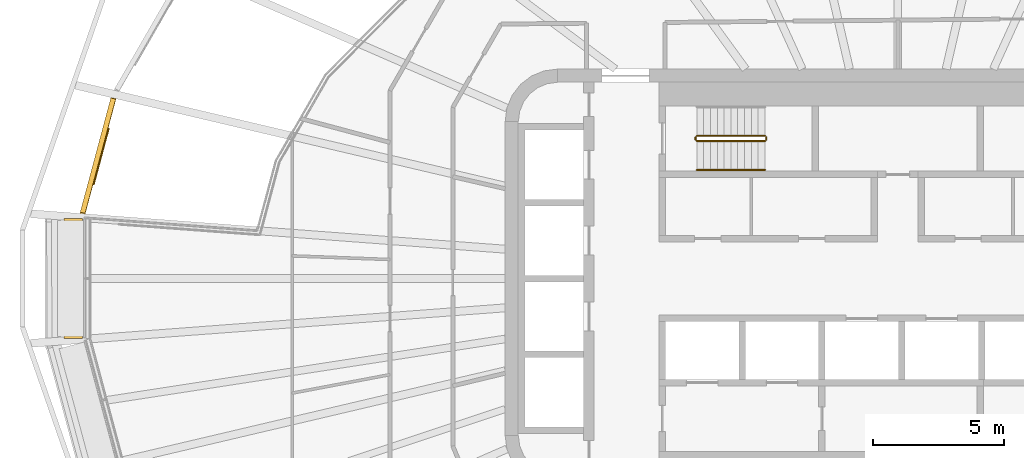
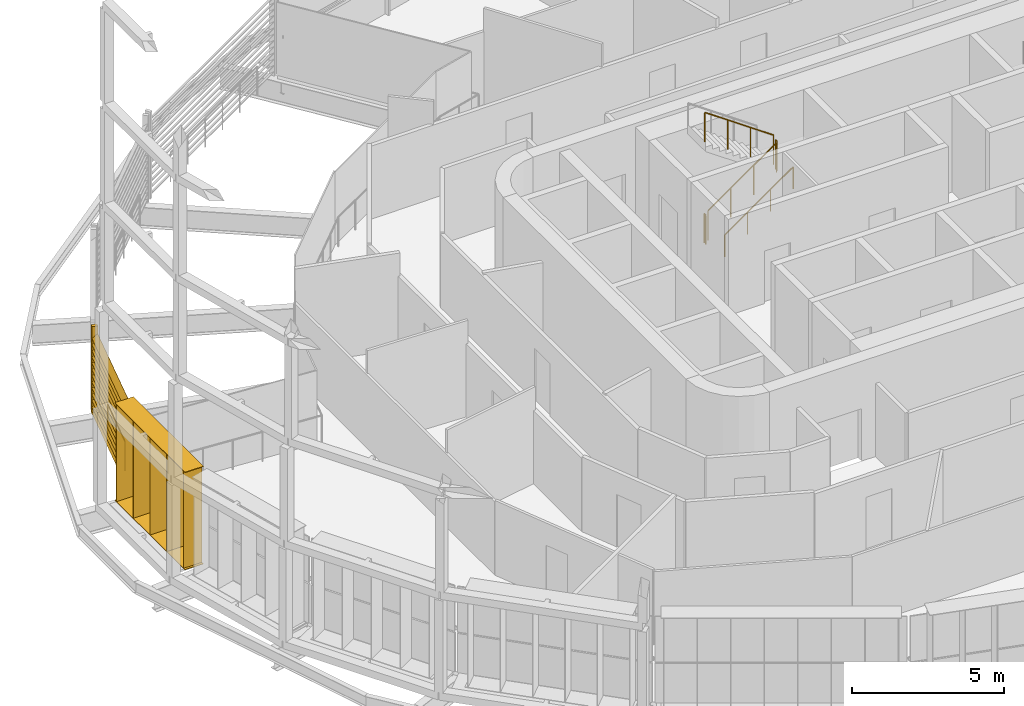
# One storey, part 18 of 22: 6 railings, 2 shading devices.
"""IFC4 building model written with IfcOpenShell, lengths in metres."""

from ifc_helpers import new_model, si_unit, direction, frame, origin, origin_2d, place, context, subcontext, project, spatial, rectangle, circle, extrude, material, type_object, element, save


model = new_model("IFC4")

# Units and contexts
model_context = context("Model", 3, precision=1e-05, world=origin(), true_north=direction((0.0, 1.0)))
body_context = subcontext(model_context, "Body", "Model", "MODEL_VIEW")
ifc_project = project(units=[si_unit("LENGTHUNIT", "METRE"), si_unit("AREAUNIT", "SQUARE_METRE"), si_unit("VOLUMEUNIT", "CUBIC_METRE"), si_unit("PLANEANGLEUNIT", "RADIAN"), si_unit("MASSUNIT", "GRAM", prefix="KILO")], contexts=[model_context])

# Site, building, storey
site_placement = place(None, origin())
site = spatial("IfcSite", under=ifc_project, at=site_placement, CompositionType="ELEMENT")
building_placement = place(site_placement, origin())
building = spatial("IfcBuilding", under=site, at=building_placement, Name="Sahrelin Media Tower", CompositionType="ELEMENT")
storey_placement = place(building_placement, frame((0.0, 0.0, 177.60009765625)))
storey = spatial("IfcBuildingStorey", under=building, at=storey_placement, Name="L37", CompositionType="ELEMENT", Elevation=177.60009765625)

# Shading devices
ifc_material_1 = material(Name="Champagne anodised aluminium 6063-T6", Category="aluminium")
shading_device_type_1 = type_object("IfcShadingDeviceType", Name="Fin cassette", PredefinedType="USERDEFINED", material=ifc_material_1)
shading_device_1_placement = place(storey_placement, frame((-31.081787109375, 0.0, 0.0), z_axis=(0.0, 0.0, 1.0), x_axis=(0.0, 1.0, 0.0)))
element("IfcShadingDevice", 1, at=shading_device_1_placement, inside=storey, type_object=shading_device_type_1, Name="L37:FIN:L37-12", ObjectType="FIN", PredefinedType="USERDEFINED", context=body_context, shape_type="SweptSolid", body=[
    extrude(rectangle(XDim=4.60009765625, YDim=0.699951171875, at=origin_2d()), frame((0.0, 0.419921875, 0.0)), (0.0, 0.0, 1.0), 0.02001953125),
    extrude(rectangle(XDim=4.60009765625, YDim=0.699951171875, at=origin_2d()), frame((0.0, 0.419921875, 3.89990234375)), (0.0, 0.0, 1.0), 0.02001953125),
    extrude(rectangle(XDim=0.02001953125, YDim=0.699951171875, at=origin_2d()), frame((-2.199951171875, 0.419921875, 0.010009765625), z_axis=(0.0, 0.0, 1.0), x_axis=(1.0, 0.0, 0.0)), (0.0, 0.0, 1.0), 3.89990234375),
    extrude(rectangle(XDim=0.02001953125, YDim=0.699951171875, at=origin_2d()), frame((-1.10009765625, 0.419921875, 0.010009765625), z_axis=(0.0, 0.0, 1.0), x_axis=(1.0, 0.0, 0.0)), (0.0, 0.0, 1.0), 3.89990234375),
    extrude(rectangle(XDim=0.02001953125, YDim=0.699951171875, at=origin_2d()), frame((0.0, 0.419921875, 0.010009765625), z_axis=(0.0, 0.0, 1.0), x_axis=(1.0, 0.0, 0.0)), (0.0, 0.0, 1.0), 3.89990234375),
    extrude(rectangle(XDim=0.02001953125, YDim=0.699951171875, at=origin_2d()), frame((1.10009765625, 0.419921875, 0.010009765625), z_axis=(0.0, 0.0, 1.0), x_axis=(1.0, 0.0, 0.0)), (0.0, 0.0, 1.0), 3.89990234375),
    extrude(rectangle(XDim=0.02001953125, YDim=0.699951171875, at=origin_2d()), frame((2.199951171875, 0.419921875, 0.010009765625), z_axis=(0.0, 0.0, 1.0), x_axis=(1.0, 0.0, 0.0)), (0.0, 0.0, 1.0), 3.89990234375),
])
shading_device_type_2 = type_object("IfcShadingDeviceType", Name="Garden screen", PredefinedType="USERDEFINED", material=ifc_material_1)
shading_device_2_placement = place(storey_placement, frame((-30.453369140625, 4.667236328125, 0.0), z_axis=(0.0, 0.0, 1.0), x_axis=(0.258807731996, 0.965928857556, 0.0)))
element("IfcShadingDevice", 2, at=shading_device_2_placement, inside=storey, type_object=shading_device_type_2, Name="L37:SCREEN:L37-11", ObjectType="SCREEN", PredefinedType="USERDEFINED", context=body_context, shape_type="SweptSolid", body=[
    extrude(rectangle(XDim=0.1201171875, YDim=0.199951171875, at=origin_2d()), frame((2.318115234375, 0.10009765625, 0.050048828125), z_axis=(0.0, 0.0, 1.0), x_axis=(1.0, 0.0, 0.0)), (0.0, 0.0, 1.0), 3.49853515625),
    extrude(rectangle(XDim=0.1201171875, YDim=0.199951171875, at=origin_2d()), frame((-2.318115234375, 0.10009765625, 0.050048828125), z_axis=(0.0, 0.0, 1.0), x_axis=(1.0, 0.0, 0.0)), (0.0, 0.0, 1.0), 3.49853515625),
    extrude(rectangle(XDim=0.25, YDim=0.02001953125, at=origin_2d()), frame((2.25830078125, 0.10009765625, 0.14990234375), z_axis=(-1.0, 0.0, 0.0), x_axis=(0.0, -0.766044443119, 0.642787609687)), (0.0, 0.0, 1.0), 4.5166015625),
    extrude(rectangle(XDim=0.25, YDim=0.02001953125, at=origin_2d()), frame((2.25830078125, 0.10009765625, 0.39990234375), z_axis=(-1.0, 0.0, 0.0), x_axis=(0.0, -0.766044443119, 0.642787609687)), (0.0, 0.0, 1.0), 4.5166015625),
    extrude(rectangle(XDim=0.25, YDim=0.02001953125, at=origin_2d()), frame((2.25830078125, 0.10009765625, 0.64990234375), z_axis=(-1.0, 0.0, 0.0), x_axis=(0.0, -0.766044443119, 0.642787609687)), (0.0, 0.0, 1.0), 4.5166015625),
    extrude(rectangle(XDim=0.25, YDim=0.02001953125, at=origin_2d()), frame((2.25830078125, 0.10009765625, 0.89990234375), z_axis=(-1.0, 0.0, 0.0), x_axis=(0.0, -0.766044443119, 0.642787609687)), (0.0, 0.0, 1.0), 4.5166015625),
    extrude(rectangle(XDim=0.25, YDim=0.02001953125, at=origin_2d()), frame((2.25830078125, 0.10009765625, 1.14990234375), z_axis=(-1.0, 0.0, 0.0), x_axis=(0.0, -0.766044443119, 0.642787609687)), (0.0, 0.0, 1.0), 4.5166015625),
    extrude(rectangle(XDim=0.25, YDim=0.02001953125, at=origin_2d()), frame((2.25830078125, 0.10009765625, 1.39990234375), z_axis=(-1.0, 0.0, 0.0), x_axis=(0.0, -0.766044443119, 0.642787609687)), (0.0, 0.0, 1.0), 4.5166015625),
    extrude(rectangle(XDim=0.25, YDim=0.02001953125, at=origin_2d()), frame((2.25830078125, 0.10009765625, 1.64990234375), z_axis=(-1.0, 0.0, 0.0), x_axis=(0.0, -0.766044443119, 0.642787609687)), (0.0, 0.0, 1.0), 4.5166015625),
    extrude(rectangle(XDim=0.25, YDim=0.02001953125, at=origin_2d()), frame((2.25830078125, 0.10009765625, 1.89990234375), z_axis=(-1.0, 0.0, 0.0), x_axis=(0.0, -0.766044443119, 0.642787609687)), (0.0, 0.0, 1.0), 4.5166015625),
    extrude(rectangle(XDim=0.25, YDim=0.02001953125, at=origin_2d()), frame((2.25830078125, 0.10009765625, 2.14990234375), z_axis=(-1.0, 0.0, 0.0), x_axis=(0.0, -0.766044443119, 0.642787609687)), (0.0, 0.0, 1.0), 4.5166015625),
    extrude(rectangle(XDim=0.25, YDim=0.02001953125, at=origin_2d()), frame((2.25830078125, 0.10009765625, 2.39990234375), z_axis=(-1.0, 0.0, 0.0), x_axis=(0.0, -0.766044443119, 0.642787609687)), (0.0, 0.0, 1.0), 4.5166015625),
    extrude(rectangle(XDim=0.25, YDim=0.02001953125, at=origin_2d()), frame((2.25830078125, 0.10009765625, 2.64990234375), z_axis=(-1.0, 0.0, 0.0), x_axis=(0.0, -0.766044443119, 0.642787609687)), (0.0, 0.0, 1.0), 4.5166015625),
    extrude(rectangle(XDim=0.25, YDim=0.02001953125, at=origin_2d()), frame((2.25830078125, 0.10009765625, 2.89990234375), z_axis=(-1.0, 0.0, 0.0), x_axis=(0.0, -0.766044443119, 0.642787609687)), (0.0, 0.0, 1.0), 4.5166015625),
    extrude(rectangle(XDim=0.25, YDim=0.02001953125, at=origin_2d()), frame((2.25830078125, 0.10009765625, 3.14990234375), z_axis=(-1.0, 0.0, 0.0), x_axis=(0.0, -0.766044443119, 0.642787609687)), (0.0, 0.0, 1.0), 4.5166015625),
])

# Railings
ifc_material_2 = material(Name="Stainless steel 316", Category="steel")
railing_type_1 = type_object("IfcRailingType", Name="Sky garden guard", PredefinedType="GUARDRAIL", material=ifc_material_2)
railing_1_placement = place(storey_placement, frame((-30.71484375, 3.60400390625, 0.0)))
element("IfcRailing", 3, at=railing_1_placement, inside=storey, type_object=railing_type_1, Name="Sky garden void guard G3-2", PredefinedType="GUARDRAIL", context=body_context, shape_type="SweptSolid", body=[
    extrude(circle(Radius=0.02392578125, at=origin_2d()), frame((0.0, 0.0, 1.17578125), z_axis=(0.258752817128, 0.965943569588, 0.0), x_axis=(-0.965943569588, 0.258752817128, 0.0)), (0.0, 0.0, 1.0), 2.18798828125),
    extrude(circle(Radius=0.02099609375, at=origin_2d()), origin(), (0.0, 0.0, 1.0), 1.15185546875),
    extrude(circle(Radius=0.02099609375, at=origin_2d()), frame((0.283203125, 1.056640625, 0.0)), (0.0, 0.0, 1.0), 1.15185546875),
    extrude(circle(Radius=0.02099609375, at=origin_2d()), frame((0.566162109375, 2.113525390625, 0.0)), (0.0, 0.0, 1.0), 1.15185546875),
])
ifc_material_3 = material(Name="Steel S355", Category="steel")
railing_type_2 = type_object("IfcRailingType", Name="Stair guard 1200", PredefinedType="GUARDRAIL", material=ifc_material_3)
railing_2_placement = place(storey_placement, frame((-7.675048828125, 5.25, 0.181640625)))
element("IfcRailing", 4, at=railing_2_placement, inside=storey, type_object=railing_type_2, Name="L37 ST1 stair guard 1", PredefinedType="GUARDRAIL", context=body_context, shape_type="SweptSolid", body=[
    extrude(circle(Radius=0.02392578125, at=origin_2d()), frame((0.0, 0.0, 1.17578125), z_axis=(0.819484887739, 0.0, 0.573100792852), x_axis=(0.0, 1.0, 0.0)), (0.0, 0.0, 1.0), 3.1728515625),
    extrude(circle(Radius=0.02099609375, at=origin_2d()), origin(), (0.0, 0.0, 1.0), 1.15185546875),
    extrude(circle(Radius=0.02099609375, at=origin_2d()), frame((0.86669921875, 0.0, 0.606201171875)), (0.0, 0.0, 1.0), 1.15185546875),
    extrude(circle(Radius=0.02099609375, at=origin_2d()), frame((1.7333984375, 0.0, 1.212158203125)), (0.0, 0.0, 1.0), 1.15185546875),
    extrude(circle(Radius=0.02099609375, at=origin_2d()), frame((2.60009765625, 0.0, 1.818359375)), (0.0, 0.0, 1.0), 1.15185546875),
])
railing_3_placement = place(storey_placement, frame((-5.02490234375, 5.300048828125, 2.0)))
element("IfcRailing", 5, at=railing_3_placement, inside=storey, type_object=railing_type_2, Name="L37 ST1 stair guard 2", PredefinedType="GUARDRAIL", context=body_context, shape_type="SweptSolid", body=[
    extrude(circle(Radius=0.02392578125, at=origin_2d()), frame((0.0, 0.0, 1.17578125), z_axis=(0.0, 1.0, 0.0), x_axis=(-1.0, 0.0, 0.0)), (0.0, 0.0, 1.0), 0.099853515625),
    extrude(circle(Radius=0.02099609375, at=origin_2d()), origin(), (0.0, 0.0, 1.0), 1.15185546875),
    extrude(circle(Radius=0.02099609375, at=origin_2d()), frame((0.0, 0.099853515625, 0.0)), (0.0, 0.0, 1.0), 1.15185546875),
])
railing_4_placement = place(storey_placement, frame((-5.074951171875, 5.449951171875, 2.181640625)))
element("IfcRailing", 6, at=railing_4_placement, inside=storey, type_object=railing_type_2, Name="L37 ST1 stair guard 3", PredefinedType="GUARDRAIL", context=body_context, shape_type="SweptSolid", body=[
    extrude(circle(Radius=0.02392578125, at=origin_2d()), frame((0.0, 0.0, 1.17578125), z_axis=(-0.819484887739, 0.0, 0.573100792852), x_axis=(0.0, -1.0, 0.0)), (0.0, 0.0, 1.0), 3.1728515625),
    extrude(circle(Radius=0.02099609375, at=origin_2d()), origin(), (0.0, 0.0, 1.0), 1.15185546875),
    extrude(circle(Radius=0.02099609375, at=origin_2d()), frame((-0.86669921875, 0.0, 0.606201171875)), (0.0, 0.0, 1.0), 1.15185546875),
    extrude(circle(Radius=0.02099609375, at=origin_2d()), frame((-1.7333984375, 0.0, 1.212158203125)), (0.0, 0.0, 1.0), 1.15185546875),
    extrude(circle(Radius=0.02099609375, at=origin_2d()), frame((-2.60009765625, 0.0, 1.818359375)), (0.0, 0.0, 1.0), 1.15185546875),
])
railing_5_placement = place(storey_placement, frame((-7.72509765625, 5.300048828125, 0.0)))
element("IfcRailing", 7, at=railing_5_placement, inside=storey, type_object=railing_type_2, Name="L37 ST1 stair guard 4", PredefinedType="GUARDRAIL", context=body_context, shape_type="SweptSolid", body=[
    extrude(circle(Radius=0.02392578125, at=origin_2d()), frame((0.0, 0.0, 1.17578125), z_axis=(0.0, 1.0, 0.0), x_axis=(-1.0, 0.0, 0.0)), (0.0, 0.0, 1.0), 0.099853515625),
    extrude(circle(Radius=0.02099609375, at=origin_2d()), origin(), (0.0, 0.0, 1.0), 1.15185546875),
    extrude(circle(Radius=0.02099609375, at=origin_2d()), frame((0.0, 0.099853515625, 0.0)), (0.0, 0.0, 1.0), 1.15185546875),
])
railing_type_3 = type_object("IfcRailingType", Name="Stair handrail 900", PredefinedType="HANDRAIL", material=ifc_material_3)
railing_6_placement = place(storey_placement, frame((-7.675048828125, 4.14990234375, 0.181640625)))
element("IfcRailing", 8, at=railing_6_placement, inside=storey, type_object=railing_type_3, Name="L37 ST1 stair handrail 1", PredefinedType="HANDRAIL", context=body_context, shape_type="SweptSolid", body=[
    extrude(circle(Radius=0.02392578125, at=origin_2d()), frame((0.0, 0.0, 0.8759765625), z_axis=(0.819484887739, 0.0, 0.573100792852), x_axis=(0.0, 1.0, 0.0)), (0.0, 0.0, 1.0), 3.1728515625),
    extrude(circle(Radius=0.02099609375, at=origin_2d()), origin(), (0.0, 0.0, 1.0), 0.851806640625),
    extrude(circle(Radius=0.02099609375, at=origin_2d()), frame((0.86669921875, 0.0, 0.606201171875)), (0.0, 0.0, 1.0), 0.851806640625),
    extrude(circle(Radius=0.02099609375, at=origin_2d()), frame((1.7333984375, 0.0, 1.212158203125)), (0.0, 0.0, 1.0), 0.851806640625),
    extrude(circle(Radius=0.02099609375, at=origin_2d()), frame((2.60009765625, 0.0, 1.818359375)), (0.0, 0.0, 1.0), 0.851806640625),
])

save(model, "model.ifc")
